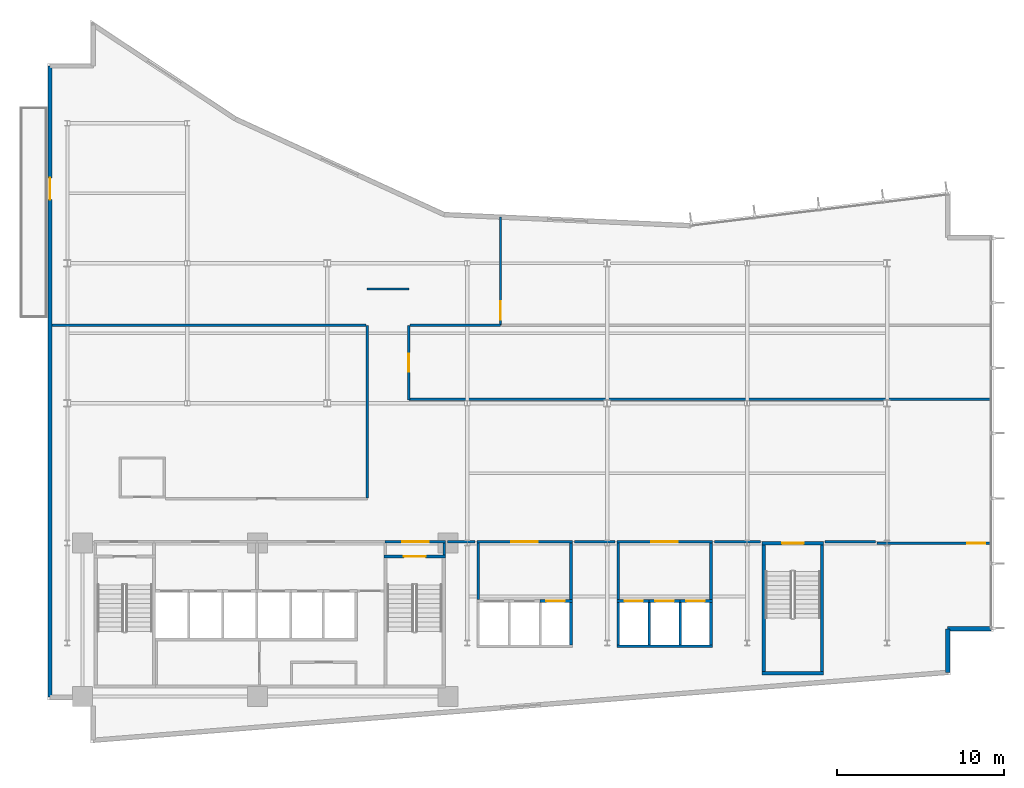
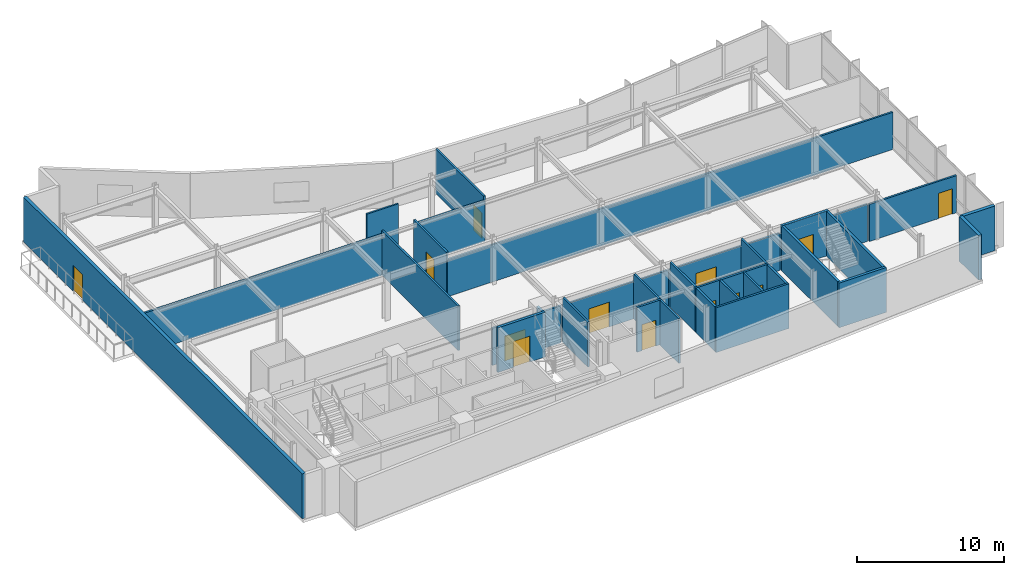
# One storey, part 11 of 17: 38 walls, 13 doors, 13 openings.
"""IFC4 building model written with IfcOpenShell, lengths in metres."""

import ifcopenshell
import ifcopenshell.guid

model = None  # the IFC model being written
_history = None  # IfcOwnerHistory: only IFC2X3 demands one
_inside = {}  # id of a spatial element -> (the spatial element, [elements in it])
_under = {}  # id of a project, library or spatial element -> (it, [spatial elements below it])
_declared = {}  # id of a project -> (the project, [libraries it declares])
_typed = {}  # id of a type object -> (the type object, [elements of that type])
_made_of = {}  # id of a material, layer set ... -> (it, [elements and type objects made of it])


def new_model(schema):
    """Start an empty IFC model of exactly this schema.

    Asked for "IFC4X3", IfcOpenShell would pick the latest addendum, in which some entities
    have other attributes; the version numbers below select the first issue.
    IFC2X3 requires an IfcOwnerHistory on every rooted entity: one is made here for all.
    """
    global model, _history
    if schema == "IFC4X3":
        model = ifcopenshell.file(schema_version=(4, 3, 0, 0))
    else:
        model = ifcopenshell.file(schema=schema)
    _inside.clear()
    _under.clear()
    _declared.clear()
    _typed.clear()
    _made_of.clear()
    _history = None
    if model.schema == "IFC2X3":
        org = make("IfcOrganization", Name="unknown")
        user = make(
            "IfcPersonAndOrganization",
            ThePerson=make("IfcPerson", FamilyName="unknown"),
            TheOrganization=org,
        )
        app = make(
            "IfcApplication",
            ApplicationDeveloper=org,
            Version="unknown",
            ApplicationFullName="unknown",
            ApplicationIdentifier="unknown",
        )
        _history = make(
            "IfcOwnerHistory",
            OwningUser=user,
            OwningApplication=app,
            ChangeAction="ADDED",
            CreationDate=0,
        )
    return model


def make(cls, **values):
    """One entity of the class cls with the attributes given. An attribute that is None is left unset."""
    return model.create_entity(
        cls, **{name: value for name, value in values.items() if value is not None}
    )


def rooted(cls, **values):
    """An entity with a GlobalId (a new one), such as an element, a storey or a relation."""
    return make(cls, GlobalId=ifcopenshell.guid.new(), OwnerHistory=_history, **values)


def si_unit(unit_type, name, prefix=None):
    """IfcSIUnit, for example si_unit("LENGTHUNIT", "METRE", prefix="MILLI")."""
    return make("IfcSIUnit", UnitType=unit_type, Prefix=prefix, Name=name)


def assignment(units):
    """IfcUnitAssignment: the units of a project."""
    return None if units is None else make("IfcUnitAssignment", Units=units)


def point(xyz):
    """IfcCartesianPoint."""
    return None if xyz is None else make("IfcCartesianPoint", Coordinates=xyz)


def direction(xyz):
    """IfcDirection."""
    return None if xyz is None else make("IfcDirection", DirectionRatios=xyz)


def frame(location, z_axis=None, x_axis=None):
    """IfcAxis2Placement3D, a coordinate frame: its origin and axes. An axis left out is left unset."""
    return make(
        "IfcAxis2Placement3D",
        Location=point(location),
        Axis=direction(z_axis),
        RefDirection=direction(x_axis),
    )


def frame_2d(location, x_axis=None):
    """IfcAxis2Placement2D, a coordinate frame in the plane: its origin and x axis."""
    return make(
        "IfcAxis2Placement2D", Location=point(location), RefDirection=direction(x_axis)
    )


def origin():
    """The frame at (0, 0, 0) with its axes left unset."""
    return frame((0.0, 0.0, 0.0))


def place(relative_to, where):
    """IfcLocalPlacement: puts the frame where relative to a parent placement (None: the world)."""
    return make(
        "IfcLocalPlacement", PlacementRelTo=relative_to, RelativePlacement=where
    )


def context(
    kind, dimensions, precision=None, world=None, true_north=None, identifier=None
):
    """IfcGeometricRepresentationContext, for example the 3D "Model" context."""
    return make(
        "IfcGeometricRepresentationContext",
        ContextIdentifier=identifier,
        ContextType=kind,
        CoordinateSpaceDimension=dimensions,
        Precision=precision,
        WorldCoordinateSystem=world,
        TrueNorth=true_north,
    )


def subcontext(parent, identifier, kind, view, scale=None):
    """IfcGeometricRepresentationSubContext, for example "Body" below "Model"."""
    return make(
        "IfcGeometricRepresentationSubContext",
        ContextIdentifier=identifier,
        ContextType=kind,
        ParentContext=parent,
        TargetScale=scale,
        TargetView=view,
    )


def project(units=None, contexts=None):
    """IfcProject with its units and contexts."""
    return rooted(
        "IfcProject",
        Name="project",
        RepresentationContexts=contexts,
        UnitsInContext=assignment(units),
    )


def spatial(cls, under=None, at=None, **own):
    """A site, building, storey or space (cls), placed at a placement, below another one or the project."""
    s = rooted(cls, ObjectPlacement=at, **own)
    if under is not None:
        _under.setdefault(under.id(), (under, []))[1].append(s)
    return s


def profile(cls, at=None, kind="AREA", **sizes):
    """A parametric profile (cls). Its sizes go by their IFC names, for example OverallWidth=200.0."""
    return make(cls, ProfileType=kind, Position=at, **sizes)


def rectangle(**sizes):
    """IfcRectangleProfileDef."""
    return profile("IfcRectangleProfileDef", **sizes)


def extrude(swept, where, along, depth):
    """IfcExtrudedAreaSolid: the profile swept, set in the frame where, extruded along a direction by depth."""
    return make(
        "IfcExtrudedAreaSolid",
        SweptArea=swept,
        Position=where,
        ExtrudedDirection=direction(along),
        Depth=depth,
    )


def shape(context_of_items, identifier, shape_type, items):
    """IfcShapeRepresentation: the items that make up one representation, for example the "Body"."""
    return make(
        "IfcShapeRepresentation",
        ContextOfItems=context_of_items,
        RepresentationIdentifier=identifier,
        RepresentationType=shape_type,
        Items=items,
    )


def material(Name=None, Category=None):
    """IfcMaterial."""
    return make("IfcMaterial", Name=Name, Category=Category)


def layer(
    of_material, thickness, ventilated=None, Name=None, Category=None, Priority=None
):
    """IfcMaterialLayer: one layer of a wall or slab, of a material (None: an air gap)."""
    return make(
        "IfcMaterialLayer",
        Material=of_material,
        LayerThickness=thickness,
        IsVentilated=ventilated,
        Name=Name,
        Category=Category,
        Priority=Priority,
    )


def layer_set(layers, Name=None):
    """IfcMaterialLayerSet."""
    return make("IfcMaterialLayerSet", MaterialLayers=layers, LayerSetName=Name)


def made_of(thing, what):
    """Note that an element or type object is made of a material, layer set ...; save() writes the relation."""
    if what is not None:
        _made_of.setdefault(what.id(), (what, []))[1].append(thing)
    return thing


def type_object(cls, material=None, **own):
    """A type object (cls), such as IfcWallType, which elements share."""
    return made_of(rooted(cls, **own), material)


def element(
    cls,
    number,
    at=None,
    inside=None,
    cuts=None,
    type_object=None,
    material=None,
    context=None,
    identifier="Body",
    shape_type=None,
    held_by="IfcProductDefinitionShape",
    body=None,
    shapes=None,
    **own,
):
    """One element of the class cls, such as IfcWall. Its Tag is "e" and its number.

    at: its placement. inside: the storey or other place that contains it. cuts: it is an
    opening in that element (IfcRelVoidsElement). A single representation is given by context,
    identifier, shape_type and body (its items); several are given by shapes. held_by: the class
    of the entity that holds the representations. save() writes the other relations.
    """
    e = rooted(cls, Tag="e%d" % number, ObjectPlacement=at, **own)
    if body is not None:
        shapes = [shape(context, identifier, shape_type, body)]
    if shapes is not None:
        e.Representation = make(held_by, Representations=shapes)
    if inside is not None:
        _inside.setdefault(inside.id(), (inside, []))[1].append(e)
    if cuts is not None:
        rooted(
            "IfcRelVoidsElement", RelatingBuildingElement=cuts, RelatedOpeningElement=e
        )
    if type_object is not None:
        _typed.setdefault(type_object.id(), (type_object, []))[1].append(e)
    return made_of(e, material)


def fill(opening, filler):
    """IfcRelFillsElement: the door or window that sits in an opening."""
    return rooted(
        "IfcRelFillsElement",
        RelatingOpeningElement=opening,
        RelatedBuildingElement=filler,
    )


def aggregate(whole, parts):
    """IfcRelAggregates: a whole, such as a stair, and the parts it consists of."""
    return rooted("IfcRelAggregates", RelatingObject=whole, RelatedObjects=parts)


def save(model, path):
    """Write the relations noted so far, then the file.

    IfcRelAggregates (storeys below a building ...), IfcRelContainedInSpatialStructure (elements
    in a storey), IfcRelDefinesByType, IfcRelAssociatesMaterial and IfcRelDeclares: one each for
    every whole, place, type object, material and project.
    """
    for whole, parts in _under.values():
        aggregate(whole, parts)
    for where, things in _inside.values():
        rooted(
            "IfcRelContainedInSpatialStructure",
            RelatedElements=things,
            RelatingStructure=where,
        )
    for kind, things in _typed.values():
        rooted("IfcRelDefinesByType", RelatedObjects=things, RelatingType=kind)
    for what, things in _made_of.values():
        rooted("IfcRelAssociatesMaterial", RelatedObjects=things, RelatingMaterial=what)
    for by, libraries in _declared.values():
        rooted("IfcRelDeclares", RelatingContext=by, RelatedDefinitions=libraries)
    model.write(path)


model = new_model("IFC4")

# Units and contexts
model_context = context("Model", 3, precision=1e-05, world=origin(), true_north=direction((0.0, 1.0)))
body_context = subcontext(model_context, "Body", "Model", "MODEL_VIEW")
ifc_project = project(units=[si_unit("LENGTHUNIT", "METRE"), si_unit("AREAUNIT", "SQUARE_METRE"), si_unit("VOLUMEUNIT", "CUBIC_METRE"), si_unit("PLANEANGLEUNIT", "RADIAN"), si_unit("MASSUNIT", "GRAM", prefix="KILO")], contexts=[model_context])

# Site, building, storey
site_placement = place(None, origin())
site = spatial("IfcSite", under=ifc_project, at=site_placement, CompositionType="ELEMENT")
building_placement = place(site_placement, origin())
building = spatial("IfcBuilding", under=site, at=building_placement, Name="Varnakote Quay Hospital", CompositionType="ELEMENT")
storey_placement = place(building_placement, frame((0.0, 0.0, 103.35009765625)))
storey = spatial("IfcBuildingStorey", under=building, at=storey_placement, Name="L25", CompositionType="ELEMENT", Elevation=103.35009765625)

# Wall, opening, door
ifc_material_1 = material(Name="Fire-rated acoustic gypsum stud wall", Category="gypsum")
ifc_layer_1 = layer(ifc_material_1, 0.159912109375)
ifc_layer_set_1 = layer_set([ifc_layer_1], Name="Fire-rated acoustic gypsum stud wall")
wall_type_1 = type_object("IfcWallType", Name="WL-COMP-160", PredefinedType="PARTITIONING", material=ifc_layer_set_1)
wall_1_placement = place(storey_placement, frame((20.280029296875, 12.080078125, 0.0), z_axis=(0.0, 0.0, 1.0), x_axis=(1.0, 0.0, 0.0)))
wall_1 = element("IfcWall", 1, at=wall_1_placement, inside=storey, type_object=wall_type_1, Name="L25 East Stair Vestibule Smoke Wall", PredefinedType="PARTITIONING", context=body_context, shape_type="SweptSolid", body=[
    extrude(rectangle(XDim=3.619873046875, YDim=0.159912109375, at=frame_2d((1.81005859375, 0.0))), origin(), (0.0, 0.0, 1.0), 3.0830078125),
])
opening_1_placement = place(wall_1_placement, frame((1.010009765625, 0.0, 0.0)))
opening_1 = element("IfcOpeningElement", 2, at=opening_1_placement, cuts=wall_1, Name="Opening D-ST2L-L25", PredefinedType="OPENING", context=body_context, shape_type="SweptSolid", body=[
    extrude(rectangle(XDim=1.60009765625, YDim=2.050048828125, at=frame_2d((0.800048828125, 1.02490234375))), frame((0.0, 0.08984375, 0.0), z_axis=(0.0, -1.0, 0.0), x_axis=(1.0, 0.0, 0.0)), (0.0, 0.0, 1.0), 0.179931640625),
])
ifc_material_2 = material(Name="Fire-rated double smoke lobby door")
door_type_1 = type_object("IfcDoorType", Name="DR-LOBBY-FD60S-1600x2150", OperationType="NOTDEFINED", PredefinedType="DOOR", material=ifc_material_2)
door_1_placement = place(opening_1_placement, origin())
door_1 = element("IfcDoor", 3, at=door_1_placement, inside=storey, type_object=door_type_1, Name="L25 East Stair Vestibule Smoke Door", OperationType="DOUBLE_DOOR_SINGLE_SWING", OverallHeight=2.050048828125, OverallWidth=1.60009765625, PredefinedType="DOOR", context=body_context, shape_type="SweptSolid", body=[
    extrude(rectangle(XDim=1.60009765625, YDim=2.050048828125, at=frame_2d((0.800048828125, 1.02490234375))), frame((0.0, 0.02490234375, 0.0), z_axis=(0.0, -1.0, 0.0), x_axis=(1.0, 0.0, 0.0)), (0.0, 0.0, 1.0), 0.050048828125),
])
fill(opening_1, door_1)

# Walls
wall_2_placement = place(storey_placement, frame((23.820068359375, 11.300048828125, 0.0), z_axis=(0.0, 0.0, 1.0), x_axis=(0.0, 1.0, 0.0)))
element("IfcWall", 4, at=wall_2_placement, inside=storey, type_object=wall_type_1, Name="L25 East Stair Vestibule East Wall", PredefinedType="PARTITIONING", context=body_context, shape_type="SweptSolid", body=[
    extrude(rectangle(XDim=0.699951171875, YDim=0.159912109375, at=frame_2d((0.35009765625, 0.0))), origin(), (0.0, 0.0, 1.0), 3.7099609375),
])
for number, where, z_axis, x_axis, name in (
    (5, (25.8701171875, 8.610107421875, 0.0), (0.0, 0.0, 1.0), (0.0, 1.0, 0.0), "L25 Low-Rise Lift Lobby West Wall"),
    (6, (31.429931640625, 8.610107421875, 0.0), (0.0, 0.0, 1.0), (0.0, 1.0, 0.0), "L25 Low-Rise Lift Lobby East Wall"),
):
    element("IfcWall", number, at=place(storey_placement, frame(where, z_axis=z_axis, x_axis=x_axis)), inside=storey, type_object=wall_type_1, Name=name, PredefinedType="PARTITIONING", context=body_context, shape_type="SweptSolid", body=[
        extrude(rectangle(XDim=3.389892578125, YDim=0.159912109375, at=frame_2d((1.69482421875, 0.0))), origin(), (0.0, 0.0, 1.0), 3.7099609375),
    ])

# Wall, opening, door
wall_3_placement = place(storey_placement, frame((25.7900390625, 12.080078125, 0.0), z_axis=(0.0, 0.0, 1.0), x_axis=(1.0, 0.0, 0.0)))
wall_3 = element("IfcWall", 7, at=wall_3_placement, inside=storey, type_object=wall_type_1, Name="L25 Low-Rise Lift Lobby North Wall", PredefinedType="PARTITIONING", context=body_context, shape_type="SweptSolid", body=[
    extrude(rectangle(XDim=5.719970703125, YDim=0.159912109375, at=frame_2d((2.85986328125, 0.0))), origin(), (0.0, 0.0, 1.0), 3.0830078125),
])
opening_2_placement = place(wall_3_placement, frame((2.06005859375, 0.0, 0.0)))
opening_2 = element("IfcOpeningElement", 8, at=opening_2_placement, cuts=wall_3, Name="Opening D-PLL-L25", PredefinedType="OPENING", context=body_context, shape_type="SweptSolid", body=[
    extrude(rectangle(XDim=1.60009765625, YDim=2.050048828125, at=frame_2d((0.800048828125, 1.02490234375))), frame((0.0, 0.08984375, 0.0), z_axis=(0.0, -1.0, 0.0), x_axis=(1.0, 0.0, 0.0)), (0.0, 0.0, 1.0), 0.179931640625),
])
door_2_placement = place(opening_2_placement, origin())
door_2 = element("IfcDoor", 9, at=door_2_placement, inside=storey, type_object=door_type_1, Name="L25 Low-Rise Passenger Concourse Vestibule Door", OperationType="DOUBLE_DOOR_SINGLE_SWING", OverallHeight=2.050048828125, OverallWidth=1.60009765625, PredefinedType="DOOR", context=body_context, shape_type="SweptSolid", body=[
    extrude(rectangle(XDim=1.60009765625, YDim=2.050048828125, at=frame_2d((0.800048828125, 1.02490234375))), frame((0.0, 0.02490234375, 0.0), z_axis=(0.0, -1.0, 0.0), x_axis=(1.0, 0.0, 0.0)), (0.0, 0.0, 1.0), 0.050048828125),
])
fill(opening_2, door_2)

# Walls
for number, where, z_axis, x_axis, name in (
    (10, (34.27001953125, 8.610107421875, 0.0), (0.0, 0.0, 1.0), (0.0, 1.0, 0.0), "L25 Mid-Rise Lift Lobby West Wall"),
    (11, (39.830078125, 8.610107421875, 0.0), (0.0, 0.0, 1.0), (0.0, 1.0, 0.0), "L25 Mid-Rise Lift Lobby East Wall"),
):
    element("IfcWall", number, at=place(storey_placement, frame(where, z_axis=z_axis, x_axis=x_axis)), inside=storey, type_object=wall_type_1, Name=name, PredefinedType="PARTITIONING", context=body_context, shape_type="SweptSolid", body=[
        extrude(rectangle(XDim=3.389892578125, YDim=0.159912109375, at=frame_2d((1.69482421875, 0.0))), origin(), (0.0, 0.0, 1.0), 3.7099609375),
    ])

# Wall, opening, door
wall_4_placement = place(storey_placement, frame((34.18994140625, 12.080078125, 0.0), z_axis=(0.0, 0.0, 1.0), x_axis=(1.0, 0.0, 0.0)))
wall_4 = element("IfcWall", 12, at=wall_4_placement, inside=storey, type_object=wall_type_1, Name="L25 Mid-Rise Lift Lobby North Wall", PredefinedType="PARTITIONING", context=body_context, shape_type="SweptSolid", body=[
    extrude(rectangle(XDim=5.719970703125, YDim=0.159912109375, at=frame_2d((2.85986328125, 0.0))), origin(), (0.0, 0.0, 1.0), 3.0830078125),
])
opening_3_placement = place(wall_4_placement, frame((2.06005859375, 0.0, 0.0)))
opening_3 = element("IfcOpeningElement", 13, at=opening_3_placement, cuts=wall_4, Name="Opening D-PML-L25", PredefinedType="OPENING", context=body_context, shape_type="SweptSolid", body=[
    extrude(rectangle(XDim=1.60009765625, YDim=2.050048828125, at=frame_2d((0.800048828125, 1.02490234375))), frame((0.0, 0.08984375, 0.0), z_axis=(0.0, -1.0, 0.0), x_axis=(1.0, 0.0, 0.0)), (0.0, 0.0, 1.0), 0.179931640625),
])
door_3_placement = place(opening_3_placement, origin())
door_3 = element("IfcDoor", 14, at=door_3_placement, inside=storey, type_object=door_type_1, Name="L25 Mid-Rise Passenger Concourse Vestibule Door", OperationType="DOUBLE_DOOR_SINGLE_SWING", OverallHeight=2.050048828125, OverallWidth=1.60009765625, PredefinedType="DOOR", context=body_context, shape_type="SweptSolid", body=[
    extrude(rectangle(XDim=1.60009765625, YDim=2.050048828125, at=frame_2d((0.800048828125, 1.02490234375))), frame((0.0, 0.02490234375, 0.0), z_axis=(0.0, -1.0, 0.0), x_axis=(1.0, 0.0, 0.0)), (0.0, 0.0, 1.0), 0.050048828125),
])
fill(opening_3, door_3)

# Walls
wall_5_placement = place(storey_placement, frame((24.02001953125, 12.080078125, 0.0), z_axis=(0.0, 0.0, 1.0), x_axis=(1.0, 0.0, 0.0)))
element("IfcWall", 15, at=wall_5_placement, inside=storey, type_object=wall_type_1, Name="L25 Corridor South Gap Wall", PredefinedType="PARTITIONING", context=body_context, shape_type="SweptSolid", body=[
    extrude(rectangle(XDim=1.64990234375, YDim=0.159912109375, at=frame_2d((0.824951171875, 0.0))), origin(), (0.0, 0.0, 1.0), 3.0830078125),
])
wall_6_placement = place(storey_placement, frame((31.6298828125, 12.080078125, 0.0), z_axis=(0.0, 0.0, 1.0), x_axis=(1.0, 0.0, 0.0)))
element("IfcWall", 16, at=wall_6_placement, inside=storey, type_object=wall_type_1, Name="L25 Corridor South Gap Wall", PredefinedType="PARTITIONING", context=body_context, shape_type="SweptSolid", body=[
    extrude(rectangle(XDim=2.440185546875, YDim=0.159912109375, at=frame_2d((1.22021484375, 0.0))), origin(), (0.0, 0.0, 1.0), 3.0830078125),
])
wall_7_placement = place(storey_placement, frame((40.030029296875, 12.080078125, 0.0), z_axis=(0.0, 0.0, 1.0), x_axis=(1.0, 0.0, 0.0)))
element("IfcWall", 17, at=wall_7_placement, inside=storey, type_object=wall_type_1, Name="L25 Corridor South Gap Wall", PredefinedType="PARTITIONING", context=body_context, shape_type="SweptSolid", body=[
    extrude(rectangle(XDim=2.78076171875, YDim=0.159912109375, at=frame_2d((1.390380859375, 0.0))), origin(), (0.0, 0.0, 1.0), 3.0830078125),
])
wall_8_placement = place(storey_placement, frame((46.689208984375, 12.080078125, 0.0), z_axis=(0.0, 0.0, 1.0), x_axis=(1.0, 0.0, 0.0)))
element("IfcWall", 18, at=wall_8_placement, inside=storey, type_object=wall_type_1, Name="L25 Corridor South Gap Wall", PredefinedType="PARTITIONING", context=body_context, shape_type="SweptSolid", body=[
    extrude(rectangle(XDim=3.0107421875, YDim=0.159912109375, at=frame_2d((1.50537109375, 0.0))), origin(), (0.0, 0.0, 1.0), 3.0830078125),
])
ifc_material_3 = material(Name="Precast concrete N50 (f'c 50 MPa)", Category="concrete")
ifc_layer_2 = layer(ifc_material_3, 0.260009765625)
ifc_layer_set_2 = layer_set([ifc_layer_2], Name="Precast concrete N50 (f'c 50 MPa)")
wall_type_2 = type_object("IfcWallType", Name="WL-EXT-BRICK-260", PredefinedType="STANDARD", material=ifc_layer_set_2)
wall_9_placement = place(storey_placement, frame((54.0400390625, 4.247802734375, 0.0), z_axis=(0.0, 0.0, 1.0), x_axis=(0.0, 1.0, 0.0)))
element("IfcWall", 19, at=wall_9_placement, inside=storey, type_object=wall_type_2, Name="L25 Brick-Faced Precast Exterior Wall", PredefinedType="STANDARD", context=body_context, shape_type="SweptSolid", body=[
    extrude(rectangle(XDim=2.6123046875, YDim=0.260009765625, at=frame_2d((1.30615234375, 0.0))), origin(), (0.0, 0.0, 1.0), 3.7099609375),
])
wall_10_placement = place(storey_placement, frame((54.0400390625, 6.860107421875, 0.0), z_axis=(0.0, 0.0, 1.0), x_axis=(1.0, 0.0, 0.0)))
element("IfcWall", 20, at=wall_10_placement, inside=storey, type_object=wall_type_2, Name="L25 Brick-Faced Precast Exterior Wall", PredefinedType="STANDARD", context=body_context, shape_type="SweptSolid", body=[
    extrude(rectangle(XDim=2.599853515625, YDim=0.260009765625, at=frame_2d((1.2998046875, 0.0))), origin(), (0.0, 0.0, 1.0), 3.7099609375),
])

# Wall, opening, door
wall_11_placement = place(storey_placement, frame((0.159912109375, 40.639892578125, 0.0), z_axis=(0.0, 0.0, 1.0), x_axis=(0.0, -1.0, 0.0)))
wall_11 = element("IfcWall", 21, at=wall_11_placement, inside=storey, type_object=wall_type_2, Name="L25 Healing Terrace Portal Brick Wall", PredefinedType="STANDARD", context=body_context, shape_type="SweptSolid", body=[
    extrude(rectangle(XDim=37.8798828125, YDim=0.260009765625, at=frame_2d((18.93994140625, 0.0))), origin(), (0.0, 0.0, 1.0), 3.7099609375),
])
opening_4_placement = place(wall_11_placement, frame((6.715576171875, 0.0, 0.0)))
opening_4 = element("IfcOpeningElement", 22, at=opening_4_placement, cuts=wall_11, Name="Opening DT-L25", PredefinedType="OPENING", context=body_context, shape_type="SweptSolid", body=[
    extrude(rectangle(XDim=1.300048828125, YDim=2.14990234375, at=frame_2d((0.64990234375, 1.074951171875))), frame((0.0, 0.139892578125, 0.0), z_axis=(0.0, -1.0, 0.0), x_axis=(1.0, 0.0, 0.0)), (0.0, 0.0, 1.0), 0.280029296875),
])
ifc_material_4 = material(Name="Anodised aluminium glazed terrace door", Category="aluminium")
door_type_2 = type_object("IfcDoorType", Name="DR-EXT-TERR-1300x2150", OperationType="NOTDEFINED", PredefinedType="DOOR", material=ifc_material_4)
door_4_placement = place(opening_4_placement, origin())
door_4 = element("IfcDoor", 23, at=door_4_placement, inside=storey, type_object=door_type_2, Name="L25 Waterfront Healing Terrace Door", OperationType="SINGLE_SWING_RIGHT", OverallHeight=2.14990234375, OverallWidth=1.300048828125, PredefinedType="DOOR", context=body_context, shape_type="SweptSolid", body=[
    extrude(rectangle(XDim=1.300048828125, YDim=2.14990234375, at=frame_2d((0.64990234375, 1.074951171875))), frame((0.0, 0.02490234375, 0.0), z_axis=(0.0, -1.0, 0.0), x_axis=(1.0, 0.0, 0.0)), (0.0, 0.0, 1.0), 0.050048828125),
])
fill(opening_4, door_4)

# Walls
ifc_material_5 = material(Name="Concrete N50 (f'c 50 MPa)", Category="concrete")
ifc_layer_3 = layer(ifc_material_5, 0.14990234375)
ifc_layer_set_3 = layer_set([ifc_layer_3], Name="Concrete N50 (f'c 50 MPa)")
wall_type_3 = type_object("IfcWallType", Name="WL-SHAFT-N50-150", PredefinedType="SHEAR", material=ifc_layer_set_3)
for number, where, z_axis, x_axis, name in (
    (24, (36.125, 5.89990234375, 0.0), (0.0, 0.0, 1.0), (0.0, 1.0, 0.0), "L25 LF-PM1 Hoistway Divider Wall"),
    (25, (37.97509765625, 5.89990234375, 0.0), (0.0, 0.0, 1.0), (0.0, 1.0, 0.0), "L25 LF-PM2 Hoistway Divider Wall"),
):
    element("IfcWall", number, at=place(storey_placement, frame(where, z_axis=z_axis, x_axis=x_axis)), inside=storey, type_object=wall_type_3, Name=name, PredefinedType="SHEAR", context=body_context, shape_type="SweptSolid", body=[
        extrude(rectangle(XDim=2.550048828125, YDim=0.14990234375, at=frame_2d((1.27490234375, 0.0))), origin(), (0.0, 0.0, 1.0), 3.7099609375),
    ])
ifc_material_6 = material(Name="Concrete N50 (f'c 50 MPa)", Category="concrete")
ifc_layer_4 = layer(ifc_material_6, 0.159912109375)
ifc_layer_set_4 = layer_set([ifc_layer_4], Name="Concrete N50 (f'c 50 MPa)")
wall_type_4 = type_object("IfcWallType", Name="WL-SHAFT-N50-160", PredefinedType="SHEAR", material=ifc_layer_set_4)
wall_12_placement = place(storey_placement, frame((31.429931640625, 5.89990234375, 0.0), z_axis=(0.0, 0.0, 1.0), x_axis=(0.0, 1.0, 0.0)))
element("IfcWall", 26, at=wall_12_placement, inside=storey, type_object=wall_type_4, Name="L25 LOW Lift Bank East Shear Wall", PredefinedType="SHEAR", context=body_context, shape_type="SweptSolid", body=[
    extrude(rectangle(XDim=2.550048828125, YDim=0.159912109375, at=frame_2d((1.27490234375, 0.0))), origin(), (0.0, 0.0, 1.0), 3.7099609375),
])

# Wall, opening, door
wall_13_placement = place(storey_placement, frame((29.574951171875, 8.530029296875, 0.0), z_axis=(0.0, 0.0, 1.0), x_axis=(1.0, 0.0, 0.0)))
wall_13 = element("IfcWall", 27, at=wall_13_placement, inside=storey, type_object=wall_type_4, Name="L25 LF-PL3 Hoistway Front Wall", PredefinedType="SHEAR", context=body_context, shape_type="SweptSolid", body=[
    extrude(rectangle(XDim=1.93505859375, YDim=0.159912109375, at=frame_2d((0.967529296875, 0.0))), origin(), (0.0, 0.0, 1.0), 3.7099609375),
])
opening_5_placement = place(wall_13_placement, frame((0.375, 0.0, 0.0)))
opening_5 = element("IfcOpeningElement", 28, at=opening_5_placement, cuts=wall_13, Name="Opening LD-PL3-L25", PredefinedType="OPENING", context=body_context, shape_type="SweptSolid", body=[
    extrude(rectangle(XDim=1.10009765625, YDim=2.14990234375, at=frame_2d((0.550048828125, 1.074951171875))), frame((0.0, 0.08984375, 0.0), z_axis=(0.0, -1.0, 0.0), x_axis=(1.0, 0.0, 0.0)), (0.0, 0.0, 1.0), 0.179931640625),
])
ifc_material_7 = material(Name="Brushed bronze lift landing sliding door")
door_type_3 = type_object("IfcDoorType", Name="DR-LIFT-LD-1100x2150", OperationType="NOTDEFINED", PredefinedType="DOOR", material=ifc_material_7)
door_5_placement = place(opening_5_placement, origin())
door_5 = element("IfcDoor", 29, at=door_5_placement, inside=storey, type_object=door_type_3, Name="L25 LF-PL3 Lift Landing Sliding Door", OperationType="SLIDING_TO_LEFT", OverallHeight=2.14990234375, OverallWidth=1.10009765625, PredefinedType="DOOR", context=body_context, shape_type="SweptSolid", body=[
    extrude(rectangle(XDim=1.10009765625, YDim=2.14990234375, at=frame_2d((0.550048828125, 1.074951171875))), frame((0.0, 0.02490234375, 0.0), z_axis=(0.0, -1.0, 0.0), x_axis=(1.0, 0.0, 0.0)), (0.0, 0.0, 1.0), 0.050048828125),
])
fill(opening_5, door_5)

# Walls
wall_14_placement = place(storey_placement, frame((34.18994140625, 5.820068359375, 0.0), z_axis=(0.0, 0.0, 1.0), x_axis=(1.0, 0.0, 0.0)))
element("IfcWall", 30, at=wall_14_placement, inside=storey, type_object=wall_type_4, Name="L25 MID Lift Bank Back Shear Wall", PredefinedType="SHEAR", context=body_context, shape_type="SweptSolid", body=[
    extrude(rectangle(XDim=5.719970703125, YDim=0.159912109375, at=frame_2d((2.85986328125, 0.0))), origin(), (0.0, 0.0, 1.0), 3.7099609375),
])
for number, where, z_axis, x_axis, name in (
    (31, (34.27001953125, 5.89990234375, 0.0), (0.0, 0.0, 1.0), (0.0, 1.0, 0.0), "L25 MID Lift Bank West Shear Wall"),
    (32, (39.830078125, 5.89990234375, 0.0), (0.0, 0.0, 1.0), (0.0, 1.0, 0.0), "L25 MID Lift Bank East Shear Wall"),
):
    element("IfcWall", number, at=place(storey_placement, frame(where, z_axis=z_axis, x_axis=x_axis)), inside=storey, type_object=wall_type_4, Name=name, PredefinedType="SHEAR", context=body_context, shape_type="SweptSolid", body=[
        extrude(rectangle(XDim=2.550048828125, YDim=0.159912109375, at=frame_2d((1.27490234375, 0.0))), origin(), (0.0, 0.0, 1.0), 3.7099609375),
    ])

# Wall, opening, door
wall_15_placement = place(storey_placement, frame((34.18994140625, 8.530029296875, 0.0), z_axis=(0.0, 0.0, 1.0), x_axis=(1.0, 0.0, 0.0)))
wall_15 = element("IfcWall", 33, at=wall_15_placement, inside=storey, type_object=wall_type_4, Name="L25 LF-PM1 Hoistway Front Wall", PredefinedType="SHEAR", context=body_context, shape_type="SweptSolid", body=[
    extrude(rectangle(XDim=1.93505859375, YDim=0.159912109375, at=frame_2d((0.967529296875, 0.0))), origin(), (0.0, 0.0, 1.0), 3.7099609375),
])
opening_6_placement = place(wall_15_placement, frame((0.4599609375, 0.0, 0.0)))
opening_6 = element("IfcOpeningElement", 34, at=opening_6_placement, cuts=wall_15, Name="Opening LD-PM1-L25", PredefinedType="OPENING", context=body_context, shape_type="SweptSolid", body=[
    extrude(rectangle(XDim=1.10009765625, YDim=2.14990234375, at=frame_2d((0.550048828125, 1.074951171875))), frame((0.0, 0.08984375, 0.0), z_axis=(0.0, -1.0, 0.0), x_axis=(1.0, 0.0, 0.0)), (0.0, 0.0, 1.0), 0.179931640625),
])
door_6_placement = place(opening_6_placement, origin())
door_6 = element("IfcDoor", 35, at=door_6_placement, inside=storey, type_object=door_type_3, Name="L25 LF-PM1 Lift Landing Sliding Door", OperationType="SLIDING_TO_LEFT", OverallHeight=2.14990234375, OverallWidth=1.10009765625, PredefinedType="DOOR", context=body_context, shape_type="SweptSolid", body=[
    extrude(rectangle(XDim=1.10009765625, YDim=2.14990234375, at=frame_2d((0.550048828125, 1.074951171875))), frame((0.0, 0.02490234375, 0.0), z_axis=(0.0, -1.0, 0.0), x_axis=(1.0, 0.0, 0.0)), (0.0, 0.0, 1.0), 0.050048828125),
])
fill(opening_6, door_6)

wall_16_placement = place(storey_placement, frame((36.125, 8.530029296875, 0.0), z_axis=(0.0, 0.0, 1.0), x_axis=(1.0, 0.0, 0.0)))
wall_16 = element("IfcWall", 36, at=wall_16_placement, inside=storey, type_object=wall_type_4, Name="L25 LF-PM2 Hoistway Front Wall", PredefinedType="SHEAR", context=body_context, shape_type="SweptSolid", body=[
    extrude(rectangle(XDim=1.85009765625, YDim=0.159912109375, at=frame_2d((0.925048828125, 0.0))), origin(), (0.0, 0.0, 1.0), 3.7099609375),
])
opening_7_placement = place(wall_16_placement, frame((0.375, 0.0, 0.0)))
opening_7 = element("IfcOpeningElement", 37, at=opening_7_placement, cuts=wall_16, Name="Opening LD-PM2-L25", PredefinedType="OPENING", context=body_context, shape_type="SweptSolid", body=[
    extrude(rectangle(XDim=1.10009765625, YDim=2.14990234375, at=frame_2d((0.550048828125, 1.074951171875))), frame((0.0, 0.08984375, 0.0), z_axis=(0.0, -1.0, 0.0), x_axis=(1.0, 0.0, 0.0)), (0.0, 0.0, 1.0), 0.179931640625),
])
door_7_placement = place(opening_7_placement, origin())
door_7 = element("IfcDoor", 38, at=door_7_placement, inside=storey, type_object=door_type_3, Name="L25 LF-PM2 Lift Landing Sliding Door", OperationType="SLIDING_TO_LEFT", OverallHeight=2.14990234375, OverallWidth=1.10009765625, PredefinedType="DOOR", context=body_context, shape_type="SweptSolid", body=[
    extrude(rectangle(XDim=1.10009765625, YDim=2.14990234375, at=frame_2d((0.550048828125, 1.074951171875))), frame((0.0, 0.02490234375, 0.0), z_axis=(0.0, -1.0, 0.0), x_axis=(1.0, 0.0, 0.0)), (0.0, 0.0, 1.0), 0.050048828125),
])
fill(opening_7, door_7)

wall_17_placement = place(storey_placement, frame((37.97509765625, 8.530029296875, 0.0), z_axis=(0.0, 0.0, 1.0), x_axis=(1.0, 0.0, 0.0)))
wall_17 = element("IfcWall", 39, at=wall_17_placement, inside=storey, type_object=wall_type_4, Name="L25 LF-PM3 Hoistway Front Wall", PredefinedType="SHEAR", context=body_context, shape_type="SweptSolid", body=[
    extrude(rectangle(XDim=1.934814453125, YDim=0.159912109375, at=frame_2d((0.96728515625, 0.0))), origin(), (0.0, 0.0, 1.0), 3.7099609375),
])
opening_8_placement = place(wall_17_placement, frame((0.375, 0.0, 0.0)))
opening_8 = element("IfcOpeningElement", 40, at=opening_8_placement, cuts=wall_17, Name="Opening LD-PM3-L25", PredefinedType="OPENING", context=body_context, shape_type="SweptSolid", body=[
    extrude(rectangle(XDim=1.10009765625, YDim=2.14990234375, at=frame_2d((0.550048828125, 1.074951171875))), frame((0.0, 0.08984375, 0.0), z_axis=(0.0, -1.0, 0.0), x_axis=(1.0, 0.0, 0.0)), (0.0, 0.0, 1.0), 0.179931640625),
])
door_8_placement = place(opening_8_placement, origin())
door_8 = element("IfcDoor", 41, at=door_8_placement, inside=storey, type_object=door_type_3, Name="L25 LF-PM3 Lift Landing Sliding Door", OperationType="SLIDING_TO_LEFT", OverallHeight=2.14990234375, OverallWidth=1.10009765625, PredefinedType="DOOR", context=body_context, shape_type="SweptSolid", body=[
    extrude(rectangle(XDim=1.10009765625, YDim=2.14990234375, at=frame_2d((0.550048828125, 1.074951171875))), frame((0.0, 0.02490234375, 0.0), z_axis=(0.0, -1.0, 0.0), x_axis=(1.0, 0.0, 0.0)), (0.0, 0.0, 1.0), 0.050048828125),
])
fill(opening_8, door_8)

ifc_material_8 = material(Name="Concrete N50 (f'c 50 MPa)", Category="concrete")
ifc_layer_5 = layer(ifc_material_8, 0.199951171875)
ifc_layer_set_5 = layer_set([ifc_layer_5], Name="Concrete N50 (f'c 50 MPa)")
wall_type_5 = type_object("IfcWallType", Name="WL-SHAFT-N50-200", PredefinedType="SHEAR", material=ifc_layer_set_5)
wall_18_placement = place(storey_placement, frame((20.199951171875, 11.199951171875, 0.0), z_axis=(0.0, 0.0, 1.0), x_axis=(1.0, 0.0, 0.0)))
wall_18 = element("IfcWall", 42, at=wall_18_placement, inside=storey, type_object=wall_type_5, Name="L25 Stair ST2 Exit Wall", PredefinedType="SHEAR", context=body_context, shape_type="SweptSolid", body=[
    extrude(rectangle(XDim=3.699951171875, YDim=0.199951171875, at=frame_2d((1.85009765625, 0.0))), origin(), (0.0, 0.0, 1.0), 3.7099609375),
])
opening_9_placement = place(wall_18_placement, frame((1.199951171875, 0.0, 0.0)))
opening_9 = element("IfcOpeningElement", 43, at=opening_9_placement, cuts=wall_18, Name="Opening D-ST2-L25", PredefinedType="OPENING", context=body_context, shape_type="SweptSolid", body=[
    extrude(rectangle(XDim=1.300048828125, YDim=2.14990234375, at=frame_2d((0.64990234375, 1.074951171875))), frame((0.0, 0.10986328125, 0.0), z_axis=(0.0, -1.0, 0.0), x_axis=(1.0, 0.0, 0.0)), (0.0, 0.0, 1.0), 0.219970703125),
])
ifc_material_9 = material(Name="Fire-rated ceramic-glazed timber exit door", Category="wood")
door_type_4 = type_object("IfcDoorType", Name="DR-STAIR-FD60S-1300x2150", OperationType="NOTDEFINED", PredefinedType="DOOR", material=ifc_material_9)
door_9_placement = place(opening_9_placement, origin())
door_9 = element("IfcDoor", 44, at=door_9_placement, inside=storey, type_object=door_type_4, Name="L25 Stair ST2 Fire Exit Door", OperationType="SINGLE_SWING_RIGHT", OverallHeight=2.14990234375, OverallWidth=1.300048828125, PredefinedType="DOOR", context=body_context, shape_type="SweptSolid", body=[
    extrude(rectangle(XDim=1.300048828125, YDim=2.14990234375, at=frame_2d((0.64990234375, 1.074951171875))), frame((0.0, 0.02490234375, 0.0), z_axis=(0.0, -1.0, 0.0), x_axis=(1.0, 0.0, 0.0)), (0.0, 0.0, 1.0), 0.050048828125),
])
fill(opening_9, door_9)

# Walls
wall_19_placement = place(storey_placement, frame((42.89990234375, 4.199951171875, 0.0), z_axis=(0.0, 0.0, 1.0), x_axis=(1.0, 0.0, 0.0)))
element("IfcWall", 45, at=wall_19_placement, inside=storey, type_object=wall_type_5, Name="L25 Stair ST3 South Shaft Wall", PredefinedType="SHEAR", context=body_context, shape_type="SweptSolid", body=[
    extrude(rectangle(XDim=3.7001953125, YDim=0.199951171875, at=frame_2d((1.85009765625, 0.0))), origin(), (0.0, 0.0, 1.0), 3.7099609375),
])
for number, where, z_axis, x_axis, name in (
    (46, (43.0, 4.300048828125, 0.0), (0.0, 0.0, 1.0), (0.0, 1.0, 0.0), "L25 Stair ST3 West Shaft Wall"),
    (47, (46.5, 4.300048828125, 0.0), (0.0, 0.0, 1.0), (0.0, 1.0, 0.0), "L25 Stair ST3 East Shaft Wall"),
):
    element("IfcWall", number, at=place(storey_placement, frame(where, z_axis=z_axis, x_axis=x_axis)), inside=storey, type_object=wall_type_5, Name=name, PredefinedType="SHEAR", context=body_context, shape_type="SweptSolid", body=[
        extrude(rectangle(XDim=7.599853515625, YDim=0.199951171875, at=frame_2d((3.7998046875, 0.0))), origin(), (0.0, 0.0, 1.0), 3.7099609375),
    ])

# Wall, opening, door
wall_20_placement = place(storey_placement, frame((42.89990234375, 12.0, 0.0), z_axis=(0.0, 0.0, 1.0), x_axis=(1.0, 0.0, 0.0)))
wall_20 = element("IfcWall", 48, at=wall_20_placement, inside=storey, type_object=wall_type_5, Name="L25 Stair ST3 Exit Wall", PredefinedType="SHEAR", context=body_context, shape_type="SweptSolid", body=[
    extrude(rectangle(XDim=3.7001953125, YDim=0.199951171875, at=frame_2d((1.85009765625, 0.0))), origin(), (0.0, 0.0, 1.0), 3.7099609375),
])
opening_10_placement = place(wall_20_placement, frame((1.199951171875, 0.0, 0.0)))
opening_10 = element("IfcOpeningElement", 49, at=opening_10_placement, cuts=wall_20, Name="Opening D-ST3-L25", PredefinedType="OPENING", context=body_context, shape_type="SweptSolid", body=[
    extrude(rectangle(XDim=1.300048828125, YDim=2.14990234375, at=frame_2d((0.64990234375, 1.074951171875))), frame((0.0, 0.10986328125, 0.0), z_axis=(0.0, -1.0, 0.0), x_axis=(1.0, 0.0, 0.0)), (0.0, 0.0, 1.0), 0.219970703125),
])
door_10_placement = place(opening_10_placement, origin())
door_10 = element("IfcDoor", 50, at=door_10_placement, inside=storey, type_object=door_type_4, Name="L25 Stair ST3 Fire Exit Door", OperationType="SINGLE_SWING_LEFT", OverallHeight=2.14990234375, OverallWidth=1.300048828125, PredefinedType="DOOR", context=body_context, shape_type="SweptSolid", body=[
    extrude(rectangle(XDim=1.300048828125, YDim=2.14990234375, at=frame_2d((0.64990234375, 1.074951171875))), frame((0.0, 0.02490234375, 0.0), z_axis=(0.0, -1.0, 0.0), x_axis=(1.0, 0.0, 0.0)), (0.0, 0.0, 1.0), 0.050048828125),
])
fill(opening_10, door_10)

# Wall
ifc_material_10 = material(Name="Smoke-proof clinical partition", Category="gypsum")
ifc_layer_6 = layer(ifc_material_10, 0.135009765625)
ifc_layer_set_6 = layer_set([ifc_layer_6], Name="Smoke-proof clinical partition")
wall_type_6 = type_object("IfcWallType", Name="WL-SMOKE-135", PredefinedType="PARTITIONING", material=ifc_layer_set_6)
wall_21_placement = place(storey_placement, frame((21.699951171875, 27.260009765625, 0.0), z_axis=(0.0, 0.0, 1.0), x_axis=(-1.0, 0.0, 0.0)))
element("IfcWall", 51, at=wall_21_placement, inside=storey, type_object=wall_type_6, Name="L25 Clinical Interior Partition", PredefinedType="PARTITIONING", context=body_context, shape_type="SweptSolid", body=[
    extrude(rectangle(XDim=2.5, YDim=0.135009765625, at=frame_2d((1.25, 0.0))), origin(), (0.0, 0.0, 1.0), 3.7099609375),
])

# Wall, opening, door
ifc_material_11 = material(Name="Fire-rated clinical gypsum partition", Category="gypsum")
ifc_layer_7 = layer(ifc_material_11, 0.14990234375)
ifc_layer_set_7 = layer_set([ifc_layer_7], Name="Fire-rated clinical gypsum partition")
wall_type_7 = type_object("IfcWallType", Name="WL-WARD-150", PredefinedType="PARTITIONING", material=ifc_layer_set_7)
wall_22_placement = place(storey_placement, frame((56.639892578125, 12.0, 0.0), z_axis=(0.0, 0.0, 1.0), x_axis=(-1.0, 0.0, 0.0)))
wall_22 = element("IfcWall", 52, at=wall_22_placement, inside=storey, type_object=wall_type_7, Name="L25 Clinical Interior Partition", PredefinedType="PARTITIONING", context=body_context, shape_type="SweptSolid", body=[
    extrude(rectangle(XDim=6.83984375, YDim=0.14990234375, at=frame_2d((3.419921875, 0.0))), origin(), (0.0, 0.0, 1.0), 3.0830078125),
])
opening_11_placement = place(wall_22_placement, frame((0.33349609375, 0.0, 0.0)))
opening_11 = element("IfcOpeningElement", 53, at=opening_11_placement, cuts=wall_22, Name="Opening D-L25-SE1", PredefinedType="OPENING", context=body_context, shape_type="SweptSolid", body=[
    extrude(rectangle(XDim=1.10009765625, YDim=2.10009765625, at=frame_2d((0.550048828125, 1.050048828125))), frame((0.0, 0.0849609375, 0.0), z_axis=(0.0, -1.0, 0.0), x_axis=(1.0, 0.0, 0.0)), (0.0, 0.0, 1.0), 0.169921875),
])
ifc_material_12 = material(Name="Acoustic timber clinical consult door", Category="wood")
door_type_5 = type_object("IfcDoorType", Name="DR-CLIN-FD30S-1100x2100", OperationType="NOTDEFINED", PredefinedType="DOOR", material=ifc_material_12)
door_11_placement = place(opening_11_placement, origin())
door_11 = element("IfcDoor", 54, at=door_11_placement, inside=storey, type_object=door_type_5, Name="L25 Clinical Biomedical Engineering Office Door", OperationType="SINGLE_SWING_RIGHT", OverallHeight=2.10009765625, OverallWidth=1.10009765625, PredefinedType="DOOR", context=body_context, shape_type="SweptSolid", body=[
    extrude(rectangle(XDim=1.10009765625, YDim=2.10009765625, at=frame_2d((0.550048828125, 1.050048828125))), frame((0.0, 0.02490234375, 0.0), z_axis=(0.0, -1.0, 0.0), x_axis=(1.0, 0.0, 0.0)), (0.0, 0.0, 1.0), 0.050048828125),
])
fill(opening_11, door_11)

# Wall
wall_23_placement = place(storey_placement, frame((19.199951171875, 25.052490234375, 0.0), z_axis=(0.0, 0.0, 1.0), x_axis=(0.0, -1.0, 0.0)))
element("IfcWall", 55, at=wall_23_placement, inside=storey, type_object=wall_type_7, Name="L25 Clinical Interior Partition", PredefinedType="PARTITIONING", context=body_context, shape_type="SweptSolid", body=[
    extrude(rectangle(XDim=10.3525390625, YDim=0.14990234375, at=frame_2d((5.17626953125, 0.0))), origin(), (0.0, 0.0, 1.0), 3.7099609375),
])

# Wall, opening, door
wall_24_placement = place(storey_placement, frame((21.699951171875, 20.597412109375, 0.0), z_axis=(0.0, 0.0, 1.0), x_axis=(0.0, 1.0, 0.0)))
wall_24 = element("IfcWall", 56, at=wall_24_placement, inside=storey, type_object=wall_type_7, Name="L25 Clinical Interior Partition", PredefinedType="PARTITIONING", context=body_context, shape_type="SweptSolid", body=[
    extrude(rectangle(XDim=4.455078125, YDim=0.14990234375, at=frame_2d((2.2275390625, 0.0))), origin(), (0.0, 0.0, 1.0), 3.7099609375),
])
opening_12_placement = place(wall_24_placement, frame((1.677490234375, 0.0, 0.0)))
opening_12 = element("IfcOpeningElement", 57, at=opening_12_placement, cuts=wall_24, Name="Opening D-L25-SKYO", PredefinedType="OPENING", context=body_context, shape_type="SweptSolid", body=[
    extrude(rectangle(XDim=1.10009765625, YDim=2.10009765625, at=frame_2d((0.550048828125, 1.050048828125))), frame((0.0, 0.0849609375, 0.0), z_axis=(0.0, -1.0, 0.0), x_axis=(1.0, 0.0, 0.0)), (0.0, 0.0, 1.0), 0.169921875),
])
door_12_placement = place(opening_12_placement, origin())
door_12 = element("IfcDoor", 58, at=door_12_placement, inside=storey, type_object=door_type_5, Name="L25 Patient Liaison Coordination Office Door", OperationType="SINGLE_SWING_RIGHT", OverallHeight=2.10009765625, OverallWidth=1.10009765625, PredefinedType="DOOR", context=body_context, shape_type="SweptSolid", body=[
    extrude(rectangle(XDim=1.10009765625, YDim=2.10009765625, at=frame_2d((0.550048828125, 1.050048828125))), frame((0.0, 0.02490234375, 0.0), z_axis=(0.0, -1.0, 0.0), x_axis=(1.0, 0.0, 0.0)), (0.0, 0.0, 1.0), 0.050048828125),
])
fill(opening_12, door_12)

# Wall
wall_25_placement = place(storey_placement, frame((56.639892578125, 20.64990234375, 0.0), z_axis=(0.0, 0.0, 1.0), x_axis=(-1.0, 0.0, 0.0)))
element("IfcWall", 59, at=wall_25_placement, inside=storey, type_object=wall_type_7, Name="L25 Clinical Interior Partition", PredefinedType="PARTITIONING", context=body_context, shape_type="SweptSolid", body=[
    extrude(rectangle(XDim=34.919921875, YDim=0.14990234375, at=frame_2d((17.4599609375, 0.0))), origin(), (0.0, 0.0, 1.0), 3.0830078125),
])

# Wall, opening, door
wall_26_placement = place(storey_placement, frame((27.199951171875, 25.080078125, 0.0), z_axis=(0.0, 0.0, 1.0), x_axis=(0.0, 1.0, 0.0)))
wall_26 = element("IfcWall", 60, at=wall_26_placement, inside=storey, type_object=wall_type_7, Name="L25 Clinical Interior Partition", PredefinedType="PARTITIONING", context=body_context, shape_type="SweptSolid", body=[
    extrude(rectangle(XDim=6.48388671875, YDim=0.14990234375, at=frame_2d((3.241943359375, 0.0))), origin(), (0.0, 0.0, 1.0), 3.7099609375),
])
opening_13_placement = place(wall_26_placement, frame((0.32470703125, 0.0, 0.0)))
opening_13 = element("IfcOpeningElement", 61, at=opening_13_placement, cuts=wall_26, Name="Opening D-L25-SKYD", PredefinedType="OPENING", context=body_context, shape_type="SweptSolid", body=[
    extrude(rectangle(XDim=1.10009765625, YDim=2.10009765625, at=frame_2d((0.550048828125, 1.050048828125))), frame((0.0, 0.0849609375, 0.0), z_axis=(0.0, -1.0, 0.0), x_axis=(1.0, 0.0, 0.0)), (0.0, 0.0, 1.0), 0.169921875),
])
door_13_placement = place(opening_13_placement, origin())
door_13 = element("IfcDoor", 62, at=door_13_placement, inside=storey, type_object=door_type_5, Name="L25 Sky Lobby Visitors Dining Cafe Door", OperationType="SINGLE_SWING_LEFT", OverallHeight=2.10009765625, OverallWidth=1.10009765625, PredefinedType="DOOR", context=body_context, shape_type="SweptSolid", body=[
    extrude(rectangle(XDim=1.10009765625, YDim=2.10009765625, at=frame_2d((0.550048828125, 1.050048828125))), frame((0.0, 0.02490234375, 0.0), z_axis=(0.0, -1.0, 0.0), x_axis=(1.0, 0.0, 0.0)), (0.0, 0.0, 1.0), 0.050048828125),
])
fill(opening_13, door_13)

# Walls
wall_27_placement = place(storey_placement, frame((0.280029296875, 25.080078125, 0.0), z_axis=(0.0, 0.0, 1.0), x_axis=(1.0, 0.0, 0.0)))
element("IfcWall", 63, at=wall_27_placement, inside=storey, type_object=wall_type_7, Name="L25 Clinical Interior Partition", PredefinedType="PARTITIONING", context=body_context, shape_type="SweptSolid", body=[
    extrude(rectangle(XDim=18.840087890625, YDim=0.14990234375, at=frame_2d((9.419921875, 0.0))), origin(), (0.0, 0.0, 1.0), 3.380859375),
])
wall_28_placement = place(storey_placement, frame((21.780029296875, 25.080078125, 0.0), z_axis=(0.0, 0.0, 1.0), x_axis=(1.0, 0.0, 0.0)))
element("IfcWall", 64, at=wall_28_placement, inside=storey, type_object=wall_type_7, Name="L25 Clinical Interior Partition", PredefinedType="PARTITIONING", context=body_context, shape_type="SweptSolid", body=[
    extrude(rectangle(XDim=5.419921875, YDim=0.14990234375, at=frame_2d((2.7099609375, 0.0))), origin(), (0.0, 0.0, 1.0), 3.380859375),
])

save(model, "model.ifc")
